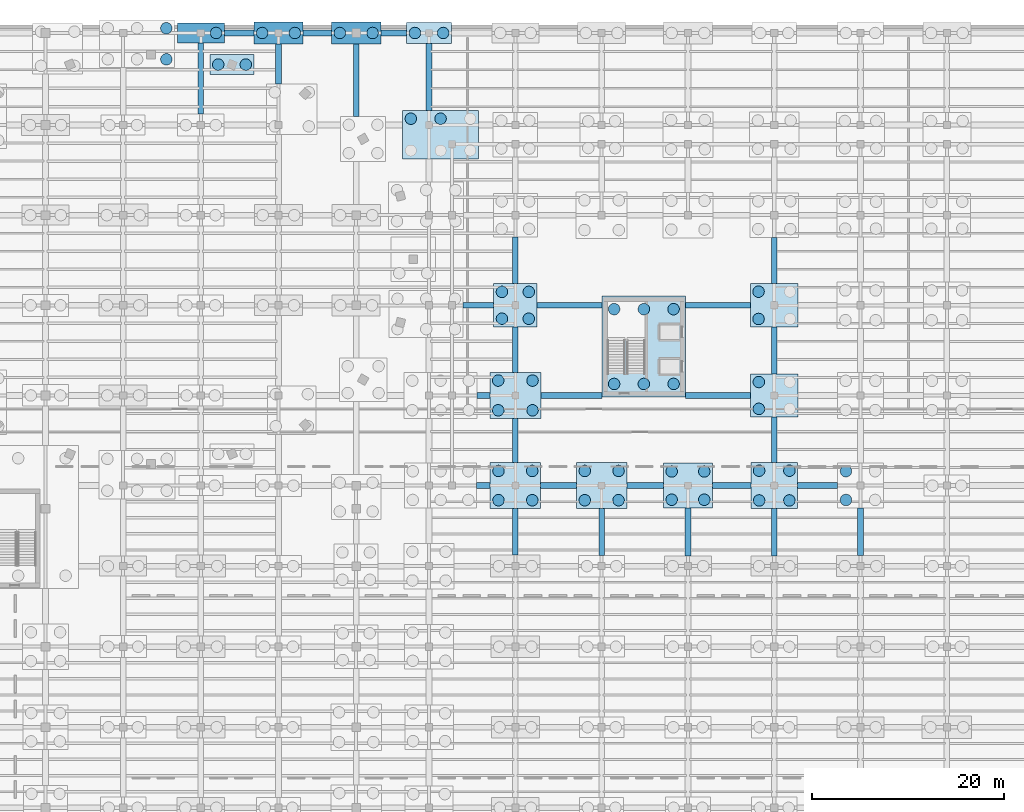
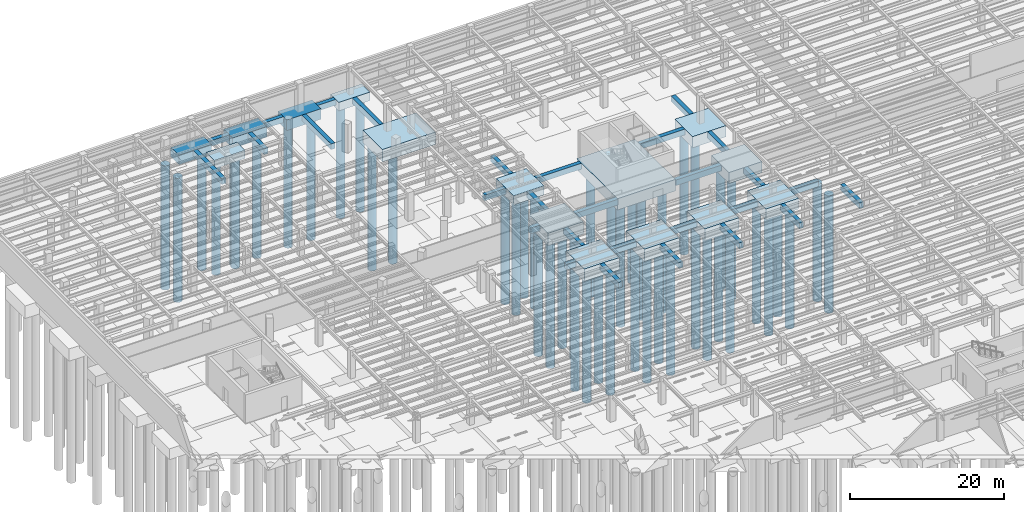
# One storey, part 11 of 49: 49 piles, 44 footings.
"""IFC4 building model written with IfcOpenShell, lengths in metres."""

from ifc_helpers import new_model, si_unit, direction, frame, origin, origin_2d, place, context, subcontext, project, spatial, rectangle, circle, extrude, material, material_profile, profile_set, type_object, element, save


model = new_model("IFC4")

# Units and contexts
model_context = context("Model", 3, precision=1e-05, world=origin(), true_north=direction((0.0, 1.0)))
body_context = subcontext(model_context, "Body", "Model", "MODEL_VIEW")
ifc_project = project(units=[si_unit("LENGTHUNIT", "METRE"), si_unit("AREAUNIT", "SQUARE_METRE"), si_unit("VOLUMEUNIT", "CUBIC_METRE"), si_unit("PLANEANGLEUNIT", "RADIAN"), si_unit("MASSUNIT", "GRAM", prefix="KILO")], contexts=[model_context])

# Site, building, storey
site_placement = place(None, origin())
site = spatial("IfcSite", under=ifc_project, at=site_placement, CompositionType="ELEMENT")
building_placement = place(site_placement, origin())
building = spatial("IfcBuilding", under=site, at=building_placement, Name="Sollismere Congress Hotel", CompositionType="ELEMENT")
storey_placement = place(building_placement, frame((0.0, 0.0, -4.5)))
storey = spatial("IfcBuildingStorey", under=building, at=storey_placement, Name="B1", CompositionType="ELEMENT", Elevation=-4.5)

# Footings
ifc_material = material(Name="Concrete C40/50", Category="concrete")
footing_type_1 = type_object("IfcFootingType", Name="FT-GB600", PredefinedType="FOOTING_BEAM", material=ifc_material)
footing_1_placement = place(storey_placement, frame((63.669921875, 66.800048828125, -0.89990234375), z_axis=(0.0, 0.0, 1.0), x_axis=(1.0, 0.0, 0.0)))
element("IfcFooting", 1, at=footing_1_placement, inside=storey, type_object=footing_type_1, Name="FTG-GB-120", PredefinedType="FOOTING_BEAM", context=body_context, shape_type="SweptSolid", body=[
    extrude(rectangle(XDim=1.419921875, YDim=0.60009765625, at=origin_2d()), origin(), (0.0, 0.0, 1.0), 0.89990234375),
])
footing_2_placement = place(storey_placement, frame((71.5, 66.800048828125, -0.89990234375), z_axis=(0.0, 0.0, 1.0), x_axis=(1.0, 0.0, 0.0)))
element("IfcFooting", 2, at=footing_2_placement, inside=storey, type_object=footing_type_1, Name="FTG-GB-121", PredefinedType="FOOTING_BEAM", context=body_context, shape_type="SweptSolid", body=[
    extrude(rectangle(XDim=3.760009765625, YDim=0.60009765625, at=origin_2d()), origin(), (0.0, 0.0, 1.0), 0.89990234375),
])
footing_3_placement = place(storey_placement, frame((80.530029296875, 66.800048828125, -0.89990234375), z_axis=(0.0, 0.0, 1.0), x_axis=(1.0, 0.0, 0.0)))
element("IfcFooting", 3, at=footing_3_placement, inside=storey, type_object=footing_type_1, Name="FTG-GB-122", PredefinedType="FOOTING_BEAM", context=body_context, shape_type="SweptSolid", body=[
    extrude(rectangle(XDim=3.820068359375, YDim=0.60009765625, at=origin_2d()), origin(), (0.0, 0.0, 1.0), 0.89990234375),
])
footing_4_placement = place(storey_placement, frame((89.56005859375, 66.800048828125, -0.89990234375), z_axis=(0.0, 0.0, 1.0), x_axis=(1.0, 0.0, 0.0)))
element("IfcFooting", 4, at=footing_4_placement, inside=storey, type_object=footing_type_1, Name="FTG-GB-123", PredefinedType="FOOTING_BEAM", context=body_context, shape_type="SweptSolid", body=[
    extrude(rectangle(XDim=4.0, YDim=0.60009765625, at=origin_2d()), origin(), (0.0, 0.0, 1.0), 0.89990234375),
])
footing_5_placement = place(storey_placement, frame((98.530029296875, 66.800048828125, -0.89990234375), z_axis=(0.0, 0.0, 1.0), x_axis=(1.0, 0.0, 0.0)))
element("IfcFooting", 5, at=footing_5_placement, inside=storey, type_object=footing_type_1, Name="FTG-GB-124", PredefinedType="FOOTING_BEAM", context=body_context, shape_type="SweptSolid", body=[
    extrude(rectangle(XDim=4.179931640625, YDim=0.60009765625, at=origin_2d()), origin(), (0.0, 0.0, 1.0), 0.89990234375),
])
footing_6_placement = place(storey_placement, frame((63.679931640625, 76.199951171875, -0.89990234375), z_axis=(0.0, 0.0, 1.0), x_axis=(1.0, 0.0, 0.0)))
element("IfcFooting", 6, at=footing_6_placement, inside=storey, type_object=footing_type_1, Name="FTG-GB-138", PredefinedType="FOOTING_BEAM", context=body_context, shape_type="SweptSolid", body=[
    extrude(rectangle(XDim=1.340087890625, YDim=0.60009765625, at=origin_2d()), origin(), (0.0, 0.0, 1.0), 0.89990234375),
])
footing_7_placement = place(storey_placement, frame((72.85009765625, 76.199951171875, -0.89990234375), z_axis=(0.0, 0.0, 1.0), x_axis=(1.0, 0.0, 0.0)))
element("IfcFooting", 7, at=footing_7_placement, inside=storey, type_object=footing_type_1, Name="FTG-GB-139", PredefinedType="FOOTING_BEAM", context=body_context, shape_type="SweptSolid", body=[
    extrude(rectangle(XDim=6.39990234375, YDim=0.60009765625, at=origin_2d()), origin(), (0.0, 0.0, 1.0), 0.89990234375),
])
footing_8_placement = place(storey_placement, frame((88.139892578125, 76.199951171875, -0.89990234375), z_axis=(0.0, 0.0, 1.0), x_axis=(1.0, 0.0, 0.0)))
element("IfcFooting", 8, at=footing_8_placement, inside=storey, type_object=footing_type_1, Name="FTG-GB-140", PredefinedType="FOOTING_BEAM", context=body_context, shape_type="SweptSolid", body=[
    extrude(rectangle(XDim=6.780029296875, YDim=0.60009765625, at=origin_2d()), origin(), (0.0, 0.0, 1.0), 0.89990234375),
])
footing_9_placement = place(storey_placement, frame((63.15283203125, 85.60009765625, -0.89990234375), z_axis=(0.0, 0.0, 1.0), x_axis=(1.0, 0.0, 0.0)))
element("IfcFooting", 9, at=footing_9_placement, inside=storey, type_object=footing_type_1, Name="FTG-GB-154", PredefinedType="FOOTING_BEAM", context=body_context, shape_type="SweptSolid", body=[
    extrude(rectangle(XDim=3.17431640625, YDim=0.60009765625, at=origin_2d()), origin(), (0.0, 0.0, 1.0), 0.89990234375),
])
footing_10_placement = place(storey_placement, frame((72.655029296875, 85.60009765625, -0.89990234375), z_axis=(0.0, 0.0, 1.0), x_axis=(1.0, 0.0, 0.0)))
element("IfcFooting", 10, at=footing_10_placement, inside=storey, type_object=footing_type_1, Name="FTG-GB-155", PredefinedType="FOOTING_BEAM", context=body_context, shape_type="SweptSolid", body=[
    extrude(rectangle(XDim=6.7900390625, YDim=0.60009765625, at=origin_2d()), origin(), (0.0, 0.0, 1.0), 0.89990234375),
])
footing_11_placement = place(storey_placement, frame((88.125, 85.60009765625, -0.89990234375), z_axis=(0.0, 0.0, 1.0), x_axis=(1.0, 0.0, 0.0)))
element("IfcFooting", 11, at=footing_11_placement, inside=storey, type_object=footing_type_1, Name="FTG-GB-156", PredefinedType="FOOTING_BEAM", context=body_context, shape_type="SweptSolid", body=[
    extrude(rectangle(XDim=6.75, YDim=0.60009765625, at=origin_2d()), origin(), (0.0, 0.0, 1.0), 0.89990234375),
])
footing_12_placement = place(storey_placement, frame((38.18994140625, 114.0, -0.89990234375), z_axis=(0.0, 0.0, 1.0), x_axis=(1.0, 0.0, 0.0)))
element("IfcFooting", 12, at=footing_12_placement, inside=storey, type_object=footing_type_1, Name="FTG-GB-202", PredefinedType="FOOTING_BEAM", context=body_context, shape_type="SweptSolid", body=[
    extrude(rectangle(XDim=3.080078125, YDim=0.60009765625, at=origin_2d()), origin(), (0.0, 0.0, 1.0), 0.89990234375),
])
footing_13_placement = place(storey_placement, frame((46.35009765625, 114.0, -0.89990234375), z_axis=(0.0, 0.0, 1.0), x_axis=(1.0, 0.0, 0.0)))
element("IfcFooting", 13, at=footing_13_placement, inside=storey, type_object=footing_type_1, Name="FTG-GB-203", PredefinedType="FOOTING_BEAM", context=body_context, shape_type="SweptSolid", body=[
    extrude(rectangle(XDim=2.9599609375, YDim=0.60009765625, at=origin_2d()), origin(), (0.0, 0.0, 1.0), 0.89990234375),
])
footing_14_placement = place(storey_placement, frame((54.320068359375, 114.0, -0.89990234375), z_axis=(0.0, 0.0, 1.0), x_axis=(1.0, 0.0, 0.0)))
element("IfcFooting", 14, at=footing_14_placement, inside=storey, type_object=footing_type_1, Name="FTG-GB-204", PredefinedType="FOOTING_BEAM", context=body_context, shape_type="SweptSolid", body=[
    extrude(rectangle(XDim=2.699951171875, YDim=0.60009765625, at=origin_2d()), origin(), (0.0, 0.0, 1.0), 0.89990234375),
])
footing_15_placement = place(storey_placement, frame((34.199951171875, 109.25, -0.89990234375), z_axis=(0.0, 0.0, 1.0), x_axis=(0.0, 1.0, 0.0)))
element("IfcFooting", 15, at=footing_15_placement, inside=storey, type_object=footing_type_1, Name="FTG-GB-276", PredefinedType="FOOTING_BEAM", context=body_context, shape_type="SweptSolid", body=[
    extrude(rectangle(XDim=7.39990234375, YDim=0.60009765625, at=origin_2d()), origin(), (0.0, 0.0, 1.0), 0.89990234375),
])
footing_16_placement = place(storey_placement, frame((42.300048828125, 110.760986328125, -0.89990234375), z_axis=(0.0, 0.0, 1.0), x_axis=(0.0, 1.0, 0.0)))
element("IfcFooting", 16, at=footing_16_placement, inside=storey, type_object=footing_type_1, Name="FTG-GB-289", PredefinedType="FOOTING_BEAM", context=body_context, shape_type="SweptSolid", body=[
    extrude(rectangle(XDim=4.177734375, YDim=0.60009765625, at=origin_2d()), origin(), (0.0, 0.0, 1.0), 0.89990234375),
])
footing_17_placement = place(storey_placement, frame((50.39990234375, 109.067138671875, -0.89990234375), z_axis=(0.0, 0.0, 1.0), x_axis=(0.0, 1.0, 0.0)))
element("IfcFooting", 17, at=footing_17_placement, inside=storey, type_object=footing_type_1, Name="FTG-GB-301", PredefinedType="FOOTING_BEAM", context=body_context, shape_type="SweptSolid", body=[
    extrude(rectangle(XDim=7.56591796875, YDim=0.60009765625, at=origin_2d()), origin(), (0.0, 0.0, 1.0), 0.89990234375),
])
footing_18_placement = place(storey_placement, frame((58.0, 109.422607421875, -0.89990234375), z_axis=(0.0, 0.0, 1.0), x_axis=(0.0, 1.0, 0.0)))
element("IfcFooting", 18, at=footing_18_placement, inside=storey, type_object=footing_type_1, Name="FTG-GB-312", PredefinedType="FOOTING_BEAM", context=body_context, shape_type="SweptSolid", body=[
    extrude(rectangle(XDim=7.0048828125, YDim=0.60009765625, at=origin_2d()), origin(), (0.0, 0.0, 1.0), 0.89990234375),
])
footing_19_placement = place(storey_placement, frame((67.0, 61.982421875, -0.89990234375), z_axis=(0.0, 0.0, 1.0), x_axis=(0.0, 1.0, 0.0)))
element("IfcFooting", 19, at=footing_19_placement, inside=storey, type_object=footing_type_1, Name="FTG-GB-320", PredefinedType="FOOTING_BEAM", context=body_context, shape_type="SweptSolid", body=[
    extrude(rectangle(XDim=4.864990234375, YDim=0.60009765625, at=origin_2d()), origin(), (0.0, 0.0, 1.0), 0.89990234375),
])
footing_20_placement = place(storey_placement, frame((67.0, 71.487548828125, -0.89990234375), z_axis=(0.0, 0.0, 1.0), x_axis=(0.0, 1.0, 0.0)))
element("IfcFooting", 20, at=footing_20_placement, inside=storey, type_object=footing_type_1, Name="FTG-GB-321", PredefinedType="FOOTING_BEAM", context=body_context, shape_type="SweptSolid", body=[
    extrude(rectangle(XDim=4.60498046875, YDim=0.60009765625, at=origin_2d()), origin(), (0.0, 0.0, 1.0), 0.89990234375),
])
footing_21_placement = place(storey_placement, frame((67.0, 80.97509765625, -0.89990234375), z_axis=(0.0, 0.0, 1.0), x_axis=(0.0, 1.0, 0.0)))
element("IfcFooting", 21, at=footing_21_placement, inside=storey, type_object=footing_type_1, Name="FTG-GB-322", PredefinedType="FOOTING_BEAM", context=body_context, shape_type="SweptSolid", body=[
    extrude(rectangle(XDim=4.72998046875, YDim=0.60009765625, at=origin_2d()), origin(), (0.0, 0.0, 1.0), 0.89990234375),
])
footing_22_placement = place(storey_placement, frame((67.0, 90.28759765625, -0.89990234375), z_axis=(0.0, 0.0, 1.0), x_axis=(0.0, 1.0, 0.0)))
element("IfcFooting", 22, at=footing_22_placement, inside=storey, type_object=footing_type_1, Name="FTG-GB-323", PredefinedType="FOOTING_BEAM", context=body_context, shape_type="SweptSolid", body=[
    extrude(rectangle(XDim=4.85498046875, YDim=0.60009765625, at=origin_2d()), origin(), (0.0, 0.0, 1.0), 0.89990234375),
])
footing_23_placement = place(storey_placement, frame((76.0, 61.969970703125, -0.89990234375), z_axis=(0.0, 0.0, 1.0), x_axis=(0.0, 1.0, 0.0)))
element("IfcFooting", 23, at=footing_23_placement, inside=storey, type_object=footing_type_1, Name="FTG-GB-333", PredefinedType="FOOTING_BEAM", context=body_context, shape_type="SweptSolid", body=[
    extrude(rectangle(XDim=4.889892578125, YDim=0.60009765625, at=origin_2d()), origin(), (0.0, 0.0, 1.0), 0.89990234375),
])
footing_24_placement = place(storey_placement, frame((85.0, 61.95751953125, -0.89990234375), z_axis=(0.0, 0.0, 1.0), x_axis=(0.0, 1.0, 0.0)))
element("IfcFooting", 24, at=footing_24_placement, inside=storey, type_object=footing_type_1, Name="FTG-GB-343", PredefinedType="FOOTING_BEAM", context=body_context, shape_type="SweptSolid", body=[
    extrude(rectangle(XDim=5.014892578125, YDim=0.60009765625, at=origin_2d()), origin(), (0.0, 0.0, 1.0), 0.89990234375),
])
footing_25_placement = place(storey_placement, frame((94.0, 61.919921875, -0.89990234375), z_axis=(0.0, 0.0, 1.0), x_axis=(0.0, 1.0, 0.0)))
element("IfcFooting", 25, at=footing_25_placement, inside=storey, type_object=footing_type_1, Name="FTG-GB-352", PredefinedType="FOOTING_BEAM", context=body_context, shape_type="SweptSolid", body=[
    extrude(rectangle(XDim=4.93994140625, YDim=0.60009765625, at=origin_2d()), origin(), (0.0, 0.0, 1.0), 0.89990234375),
])
footing_26_placement = place(storey_placement, frame((94.0, 71.574951171875, -0.89990234375), z_axis=(0.0, 0.0, 1.0), x_axis=(0.0, 1.0, 0.0)))
element("IfcFooting", 26, at=footing_26_placement, inside=storey, type_object=footing_type_1, Name="FTG-GB-353", PredefinedType="FOOTING_BEAM", context=body_context, shape_type="SweptSolid", body=[
    extrude(rectangle(XDim=4.72998046875, YDim=0.60009765625, at=origin_2d()), origin(), (0.0, 0.0, 1.0), 0.89990234375),
])
footing_27_placement = place(storey_placement, frame((94.0, 80.887451171875, -0.89990234375), z_axis=(0.0, 0.0, 1.0), x_axis=(0.0, 1.0, 0.0)))
element("IfcFooting", 27, at=footing_27_placement, inside=storey, type_object=footing_type_1, Name="FTG-GB-354", PredefinedType="FOOTING_BEAM", context=body_context, shape_type="SweptSolid", body=[
    extrude(rectangle(XDim=4.85498046875, YDim=0.60009765625, at=origin_2d()), origin(), (0.0, 0.0, 1.0), 0.89990234375),
])
footing_28_placement = place(storey_placement, frame((94.0, 90.28759765625, -0.89990234375), z_axis=(0.0, 0.0, 1.0), x_axis=(0.0, 1.0, 0.0)))
element("IfcFooting", 28, at=footing_28_placement, inside=storey, type_object=footing_type_1, Name="FTG-GB-355", PredefinedType="FOOTING_BEAM", context=body_context, shape_type="SweptSolid", body=[
    extrude(rectangle(XDim=4.804931640625, YDim=0.60009765625, at=origin_2d()), origin(), (0.0, 0.0, 1.0), 0.89990234375),
])
footing_29_placement = place(storey_placement, frame((103.0, 61.969970703125, -0.89990234375), z_axis=(0.0, 0.0, 1.0), x_axis=(0.0, 1.0, 0.0)))
element("IfcFooting", 29, at=footing_29_placement, inside=storey, type_object=footing_type_1, Name="FTG-GB-364", PredefinedType="FOOTING_BEAM", context=body_context, shape_type="SweptSolid", body=[
    extrude(rectangle(XDim=4.93994140625, YDim=0.60009765625, at=origin_2d()), origin(), (0.0, 0.0, 1.0), 0.89990234375),
])
footing_type_2 = type_object("IfcFootingType", Name="FT-MAT-K4", PredefinedType="PILE_CAP", material=ifc_material)
footing_30_placement = place(storey_placement, frame((80.39990234375, 81.300048828125, -1.7998046875), z_axis=(0.0, 0.0, 1.0), x_axis=(1.0, 0.0, 0.0)))
element("IfcFooting", 30, at=footing_30_placement, inside=storey, type_object=footing_type_2, Name="Core pile cap mat PCM-K4", PredefinedType="PILE_CAP", context=body_context, shape_type="SweptSolid", body=[
    extrude(rectangle(XDim=8.699951171875, YDim=10.5, at=origin_2d()), origin(), (0.0, 0.0, 1.0), 1.800048828125),
])
footing_type_3 = type_object("IfcFootingType", Name="FT-PC2-01", PredefinedType="PILE_CAP", material=ifc_material)
footing_31_placement = place(storey_placement, frame((37.45166015625, 110.705078125, -1.2998046875), z_axis=(0.0, 0.0, 1.0), x_axis=(1.0, 0.0, 0.0)))
element("IfcFooting", 31, at=footing_31_placement, inside=storey, type_object=footing_type_3, Name="Reinforced concrete pile cap PC-243", PredefinedType="PILE_CAP", context=body_context, shape_type="SweptSolid", body=[
    extrude(rectangle(XDim=4.60009765625, YDim=2.10009765625, at=origin_2d()), origin(), (0.0, 0.0, 1.0), 1.300048828125),
])
footing_type_4 = type_object("IfcFootingType", Name="FT-PC2-02", PredefinedType="PILE_CAP", material=ifc_material)
footing_32_placement = place(storey_placement, frame((58.0, 114.0, -1.33984375), z_axis=(0.0, 0.0, 1.0), x_axis=(1.0, 0.0, 0.0)))
element("IfcFooting", 32, at=footing_32_placement, inside=storey, type_object=footing_type_4, Name="Reinforced concrete pile cap PC-102", PredefinedType="PILE_CAP", context=body_context, shape_type="SweptSolid", body=[
    extrude(rectangle(XDim=4.659912109375, YDim=2.14990234375, at=origin_2d()), origin(), (0.0, 0.0, 1.0), 1.340087890625),
])
footing_type_5 = type_object("IfcFootingType", Name="FT-PC2-06", PredefinedType="PILE_CAP", material=ifc_material)
footing_33_placement = place(storey_placement, frame((34.199951171875, 114.0, -1.5), z_axis=(0.0, 0.0, 1.0), x_axis=(1.0, 0.0, 0.0)))
element("IfcFooting", 33, at=footing_33_placement, inside=storey, type_object=footing_type_5, Name="Reinforced concrete pile cap PC-066", PredefinedType="PILE_CAP", context=body_context, shape_type="SweptSolid", body=[
    extrude(rectangle(XDim=4.89990234375, YDim=2.10009765625, at=origin_2d()), origin(), (0.0, 0.0, 1.0), 1.5),
])
footing_type_6 = type_object("IfcFootingType", Name="FT-PC2-10", PredefinedType="PILE_CAP", material=ifc_material)
for number, where, z_axis, x_axis, name in (
    (34, (42.300048828125, 114.0, -1.66015625), (0.0, 0.0, 1.0), (1.0, 0.0, 0.0), "Reinforced concrete pile cap PC-080"),
    (35, (50.39990234375, 114.0, -1.66015625), (0.0, 0.0, 1.0), (1.0, 0.0, 0.0), "Reinforced concrete pile cap PC-090"),
):
    element("IfcFooting", number, at=place(storey_placement, frame(where, z_axis=z_axis, x_axis=x_axis)), inside=storey, type_object=footing_type_6, Name=name, PredefinedType="PILE_CAP", context=body_context, shape_type="SweptSolid", body=[
        extrude(rectangle(XDim=5.139892578125, YDim=2.300048828125, at=origin_2d()), origin(), (0.0, 0.0, 1.0), 1.659912109375),
    ])
footing_type_7 = type_object("IfcFootingType", Name="FT-PC4-01", PredefinedType="PILE_CAP", material=ifc_material)
footing_34_placement = place(storey_placement, frame((67.0, 85.60009765625, -1.4501953125), z_axis=(0.0, 0.0, 1.0), x_axis=(1.0, 0.0, 0.0)))
element("IfcFooting", 36, at=footing_34_placement, inside=storey, type_object=footing_type_7, Name="Reinforced concrete pile cap PC-113", PredefinedType="PILE_CAP", context=body_context, shape_type="SweptSolid", body=[
    extrude(rectangle(XDim=4.52001953125, YDim=4.52001953125, at=origin_2d()), origin(), (0.0, 0.0, 1.0), 1.449951171875),
])
footing_type_8 = type_object("IfcFootingType", Name="FT-PC4-07", PredefinedType="PILE_CAP", material=ifc_material)
footing_35_placement = place(storey_placement, frame((94.0, 66.800048828125, -1.68994140625), z_axis=(0.0, 0.0, 1.0), x_axis=(1.0, 0.0, 0.0)))
element("IfcFooting", 37, at=footing_35_placement, inside=storey, type_object=footing_type_8, Name="Reinforced concrete pile cap PC-147", PredefinedType="PILE_CAP", context=body_context, shape_type="SweptSolid", body=[
    extrude(rectangle(XDim=4.8798828125, YDim=4.820068359375, at=origin_2d()), origin(), (0.0, 0.0, 1.0), 1.68994140625),
])
footing_type_9 = type_object("IfcFootingType", Name="FT-PC4-08", PredefinedType="PILE_CAP", material=ifc_material)
footing_36_placement = place(storey_placement, frame((94.0, 76.199951171875, -1.72998046875), z_axis=(0.0, 0.0, 1.0), x_axis=(1.0, 0.0, 0.0)))
element("IfcFooting", 38, at=footing_36_placement, inside=storey, type_object=footing_type_9, Name="Reinforced concrete pile cap PC-148", PredefinedType="PILE_CAP", context=body_context, shape_type="SweptSolid", body=[
    extrude(rectangle(XDim=4.93994140625, YDim=4.52001953125, at=origin_2d()), origin(), (0.0, 0.0, 1.0), 1.72998046875),
])
footing_type_10 = type_object("IfcFootingType", Name="FT-PC4-09", PredefinedType="PILE_CAP", material=ifc_material)
footing_37_placement = place(storey_placement, frame((94.0, 85.60009765625, -1.77001953125), z_axis=(0.0, 0.0, 1.0), x_axis=(1.0, 0.0, 0.0)))
element("IfcFooting", 39, at=footing_37_placement, inside=storey, type_object=footing_type_10, Name="Reinforced concrete pile cap PC-149", PredefinedType="PILE_CAP", context=body_context, shape_type="SweptSolid", body=[
    extrude(rectangle(XDim=5.0, YDim=4.570068359375, at=origin_2d()), origin(), (0.0, 0.0, 1.0), 1.77001953125),
])
footing_type_11 = type_object("IfcFootingType", Name="FT-PC4-11", PredefinedType="PILE_CAP", material=ifc_material)
footing_38_placement = place(storey_placement, frame((85.0, 66.800048828125, -1.85009765625), z_axis=(0.0, 0.0, 1.0), x_axis=(1.0, 0.0, 0.0)))
element("IfcFooting", 40, at=footing_38_placement, inside=storey, type_object=footing_type_11, Name="Reinforced concrete pile cap PC-137", PredefinedType="PILE_CAP", context=body_context, shape_type="SweptSolid", body=[
    extrude(rectangle(XDim=5.1201171875, YDim=4.669921875, at=origin_2d()), origin(), (0.0, 0.0, 1.0), 1.85009765625),
])
footing_type_12 = type_object("IfcFootingType", Name="FT-PC4-13", PredefinedType="PILE_CAP", material=ifc_material)
for number, where, z_axis, x_axis, name in (
    (41, (67.0, 66.800048828125, -1.93017578125), (0.0, 0.0, 1.0), (1.0, 0.0, 0.0), "Reinforced concrete pile cap PC-111"),
    (42, (76.0, 66.800048828125, -1.93017578125), (0.0, 0.0, 1.0), (1.0, 0.0, 0.0), "Reinforced concrete pile cap PC-125"),
):
    element("IfcFooting", number, at=place(storey_placement, frame(where, z_axis=z_axis, x_axis=x_axis)), inside=storey, type_object=footing_type_12, Name=name, PredefinedType="PILE_CAP", context=body_context, shape_type="SweptSolid", body=[
        extrude(rectangle(XDim=5.239990234375, YDim=4.77001953125, at=origin_2d()), origin(), (0.0, 0.0, 1.0), 1.929931640625),
    ])
footing_type_13 = type_object("IfcFootingType", Name="FT-PC4-14", PredefinedType="PILE_CAP", material=ifc_material)
footing_39_placement = place(storey_placement, frame((67.0, 76.199951171875, -1.97021484375), z_axis=(0.0, 0.0, 1.0), x_axis=(1.0, 0.0, 0.0)))
element("IfcFooting", 43, at=footing_39_placement, inside=storey, type_object=footing_type_13, Name="Reinforced concrete pile cap PC-112", PredefinedType="PILE_CAP", context=body_context, shape_type="SweptSolid", body=[
    extrude(rectangle(XDim=5.300048828125, YDim=4.820068359375, at=origin_2d()), origin(), (0.0, 0.0, 1.0), 1.969970703125),
])
footing_type_14 = type_object("IfcFootingType", Name="FT-PC6-05", PredefinedType="PILE_CAP", material=ifc_material)
footing_40_placement = place(storey_placement, frame((59.199951171875, 103.39990234375, -1.9501953125), z_axis=(0.0, 0.0, 1.0), x_axis=(1.0, 0.0, 0.0)))
element("IfcFooting", 44, at=footing_40_placement, inside=storey, type_object=footing_type_14, Name="Reinforced concrete pile cap PC-101", PredefinedType="PILE_CAP", context=body_context, shape_type="SweptSolid", body=[
    extrude(rectangle(XDim=7.919921875, YDim=5.0400390625, at=origin_2d()), origin(), (0.0, 0.0, 1.0), 1.949951171875),
])

# Piles
ifc_material_profile = material_profile(ifc_material, circle(Radius=0.60009765625, at=origin_2d()), Name="CAISSON1200")
ifc_profile_set = profile_set([ifc_material_profile], Name="Concrete C40/50")
pile_type = type_object("IfcPileType", Name="PL-CS1200", PredefinedType="BORED", material=ifc_profile_set)
for number, where, z_axis, x_axis, name in (
    (45, (30.60009765625, 111.2548828125, -1.800048828125), (0.0, 0.0, -1.0), (1.0, 0.0, 0.0), "Bored rock-socketed caisson PL-151"),
    (46, (30.60009765625, 114.4951171875, -1.800048828125), (0.0, 0.0, -1.0), (1.0, 0.0, 0.0), "Bored rock-socketed caisson PL-154"),
):
    element("IfcPile", number, at=place(storey_placement, frame(where, z_axis=z_axis, x_axis=x_axis)), inside=storey, type_object=pile_type, Name=name, PredefinedType="BORED", context=body_context, shape_type="SweptSolid", body=[
        extrude(circle(Radius=0.60009765625, at=origin_2d()), origin(), (0.0, 0.0, 1.0), 19.64990234375),
    ])
pile_placement = place(storey_placement, frame((35.7900390625, 114.0, -1.39990234375), z_axis=(0.0, 0.0, -1.0), x_axis=(1.0, 0.0, 0.0)))
element("IfcPile", 47, at=pile_placement, inside=storey, type_object=pile_type, Name="Bored rock-socketed caisson PL-186", PredefinedType="BORED", context=body_context, shape_type="SweptSolid", body=[
    extrude(circle(Radius=0.60009765625, at=origin_2d()), origin(), (0.0, 0.0, 1.0), 18.5),
])
for number, where, z_axis, x_axis, name in (
    (48, (40.590087890625, 114.0, -1.56005859375), (0.0, 0.0, -1.0), (1.0, 0.0, 0.0), "Bored rock-socketed caisson PL-223"),
    (49, (44.010009765625, 114.0, -1.56005859375), (0.0, 0.0, -1.0), (1.0, 0.0, 0.0), "Bored rock-socketed caisson PL-224"),
    (50, (48.68994140625, 114.0, -1.56005859375), (0.0, 0.0, -1.0), (1.0, 0.0, 0.0), "Bored rock-socketed caisson PL-257"),
    (51, (52.110107421875, 114.0, -1.56005859375), (0.0, 0.0, -1.0), (1.0, 0.0, 0.0), "Bored rock-socketed caisson PL-258"),
):
    element("IfcPile", number, at=place(storey_placement, frame(where, z_axis=z_axis, x_axis=x_axis)), inside=storey, type_object=pile_type, Name=name, PredefinedType="BORED", context=body_context, shape_type="SweptSolid", body=[
        extrude(circle(Radius=0.60009765625, at=origin_2d()), origin(), (0.0, 0.0, 1.0), 19.300048828125),
    ])
for number, where, z_axis, x_axis, name in (
    (52, (56.10009765625, 105.06005859375, -1.85009765625), (0.0, 0.0, -1.0), (1.0, 0.0, 0.0), "Bored rock-socketed caisson PL-310"),
    (53, (59.199951171875, 105.06005859375, -1.85009765625), (0.0, 0.0, -1.0), (1.0, 0.0, 0.0), "Bored rock-socketed caisson PL-311"),
):
    element("IfcPile", number, at=place(storey_placement, frame(where, z_axis=z_axis, x_axis=x_axis)), inside=storey, type_object=pile_type, Name=name, PredefinedType="BORED", context=body_context, shape_type="SweptSolid", body=[
        extrude(circle(Radius=0.60009765625, at=origin_2d()), origin(), (0.0, 0.0, 1.0), 19.800048828125),
    ])
for number, where, z_axis, x_axis, name in (
    (54, (56.530029296875, 114.0, -1.239990234375), (0.0, 0.0, -1.0), (1.0, 0.0, 0.0), "Bored rock-socketed caisson PL-313"),
    (55, (59.469970703125, 114.0, -1.239990234375), (0.0, 0.0, -1.0), (1.0, 0.0, 0.0), "Bored rock-socketed caisson PL-314"),
):
    element("IfcPile", number, at=place(storey_placement, frame(where, z_axis=z_axis, x_axis=x_axis)), inside=storey, type_object=pile_type, Name=name, PredefinedType="BORED", context=body_context, shape_type="SweptSolid", body=[
        extrude(circle(Radius=0.60009765625, at=origin_2d()), origin(), (0.0, 0.0, 1.0), 17.699951171875),
    ])
for number, where, z_axis, x_axis, name in (
    (56, (65.239990234375, 65.27490234375, -1.830078125), (0.0, 0.0, -1.0), (1.0, 0.0, 0.0), "Bored rock-socketed caisson PL-339"),
    (57, (68.760009765625, 65.27490234375, -1.830078125), (0.0, 0.0, -1.0), (1.0, 0.0, 0.0), "Bored rock-socketed caisson PL-340"),
    (58, (65.239990234375, 68.324951171875, -1.830078125), (0.0, 0.0, -1.0), (1.0, 0.0, 0.0), "Bored rock-socketed caisson PL-341"),
    (59, (68.760009765625, 68.324951171875, -1.830078125), (0.0, 0.0, -1.0), (1.0, 0.0, 0.0), "Bored rock-socketed caisson PL-342"),
):
    element("IfcPile", number, at=place(storey_placement, frame(where, z_axis=z_axis, x_axis=x_axis)), inside=storey, type_object=pile_type, Name=name, PredefinedType="BORED", context=body_context, shape_type="SweptSolid", body=[
        extrude(circle(Radius=0.60009765625, at=origin_2d()), origin(), (0.0, 0.0, 1.0), 19.800048828125),
    ])
for number, where, z_axis, x_axis, name in (
    (60, (65.2099609375, 74.64990234375, -1.8701171875), (0.0, 0.0, -1.0), (1.0, 0.0, 0.0), "Bored rock-socketed caisson PL-343"),
    (61, (68.7900390625, 74.64990234375, -1.8701171875), (0.0, 0.0, -1.0), (1.0, 0.0, 0.0), "Bored rock-socketed caisson PL-344"),
    (62, (65.2099609375, 77.75, -1.8701171875), (0.0, 0.0, -1.0), (1.0, 0.0, 0.0), "Bored rock-socketed caisson PL-345"),
    (63, (68.7900390625, 77.75, -1.8701171875), (0.0, 0.0, -1.0), (1.0, 0.0, 0.0), "Bored rock-socketed caisson PL-346"),
):
    element("IfcPile", number, at=place(storey_placement, frame(where, z_axis=z_axis, x_axis=x_axis)), inside=storey, type_object=pile_type, Name=name, PredefinedType="BORED", context=body_context, shape_type="SweptSolid", body=[
        extrude(circle(Radius=0.60009765625, at=origin_2d()), origin(), (0.0, 0.0, 1.0), 19.949951171875),
    ])
for number, where, z_axis, x_axis, name in (
    (64, (65.60009765625, 84.199951171875, -1.35009765625), (0.0, 0.0, -1.0), (1.0, 0.0, 0.0), "Bored rock-socketed caisson PL-347"),
    (65, (68.39990234375, 84.199951171875, -1.35009765625), (0.0, 0.0, -1.0), (1.0, 0.0, 0.0), "Bored rock-socketed caisson PL-348"),
    (66, (65.60009765625, 87.0, -1.35009765625), (0.0, 0.0, -1.0), (1.0, 0.0, 0.0), "Bored rock-socketed caisson PL-349"),
    (67, (68.39990234375, 87.0, -1.35009765625), (0.0, 0.0, -1.0), (1.0, 0.0, 0.0), "Bored rock-socketed caisson PL-350"),
):
    element("IfcPile", number, at=place(storey_placement, frame(where, z_axis=z_axis, x_axis=x_axis)), inside=storey, type_object=pile_type, Name=name, PredefinedType="BORED", context=body_context, shape_type="SweptSolid", body=[
        extrude(circle(Radius=0.60009765625, at=origin_2d()), origin(), (0.0, 0.0, 1.0), 18.0),
    ])
for number, where, z_axis, x_axis, name in (
    (68, (74.239990234375, 65.27490234375, -1.830078125), (0.0, 0.0, -1.0), (1.0, 0.0, 0.0), "Bored rock-socketed caisson PL-385"),
    (69, (77.760009765625, 65.27490234375, -1.830078125), (0.0, 0.0, -1.0), (1.0, 0.0, 0.0), "Bored rock-socketed caisson PL-386"),
    (70, (74.239990234375, 68.324951171875, -1.830078125), (0.0, 0.0, -1.0), (1.0, 0.0, 0.0), "Bored rock-socketed caisson PL-387"),
    (71, (77.760009765625, 68.324951171875, -1.830078125), (0.0, 0.0, -1.0), (1.0, 0.0, 0.0), "Bored rock-socketed caisson PL-388"),
):
    element("IfcPile", number, at=place(storey_placement, frame(where, z_axis=z_axis, x_axis=x_axis)), inside=storey, type_object=pile_type, Name=name, PredefinedType="BORED", context=body_context, shape_type="SweptSolid", body=[
        extrude(circle(Radius=0.60009765625, at=origin_2d()), origin(), (0.0, 0.0, 1.0), 19.800048828125),
    ])
for number, where, z_axis, x_axis, name in (
    (72, (83.300048828125, 65.324951171875, -1.75), (0.0, 0.0, -1.0), (1.0, 0.0, 0.0), "Bored rock-socketed caisson PL-427"),
    (73, (86.699951171875, 65.324951171875, -1.75), (0.0, 0.0, -1.0), (1.0, 0.0, 0.0), "Bored rock-socketed caisson PL-428"),
    (74, (83.300048828125, 68.27490234375, -1.75), (0.0, 0.0, -1.0), (1.0, 0.0, 0.0), "Bored rock-socketed caisson PL-429"),
    (75, (86.699951171875, 68.27490234375, -1.75), (0.0, 0.0, -1.0), (1.0, 0.0, 0.0), "Bored rock-socketed caisson PL-430"),
):
    element("IfcPile", number, at=place(storey_placement, frame(where, z_axis=z_axis, x_axis=x_axis)), inside=storey, type_object=pile_type, Name=name, PredefinedType="BORED", context=body_context, shape_type="SweptSolid", body=[
        extrude(circle(Radius=0.60009765625, at=origin_2d()), origin(), (0.0, 0.0, 1.0), 19.5),
    ])
for number, where, z_axis, x_axis, name in (
    (76, (92.419921875, 65.25, -1.590087890625), (0.0, 0.0, -1.0), (1.0, 0.0, 0.0), "Bored rock-socketed caisson PL-457"),
    (77, (95.580078125, 65.25, -1.590087890625), (0.0, 0.0, -1.0), (1.0, 0.0, 0.0), "Bored rock-socketed caisson PL-458"),
    (78, (92.419921875, 68.35009765625, -1.590087890625), (0.0, 0.0, -1.0), (1.0, 0.0, 0.0), "Bored rock-socketed caisson PL-459"),
    (79, (95.580078125, 68.35009765625, -1.590087890625), (0.0, 0.0, -1.0), (1.0, 0.0, 0.0), "Bored rock-socketed caisson PL-460"),
):
    element("IfcPile", number, at=place(storey_placement, frame(where, z_axis=z_axis, x_axis=x_axis)), inside=storey, type_object=pile_type, Name=name, PredefinedType="BORED", context=body_context, shape_type="SweptSolid", body=[
        extrude(circle(Radius=0.60009765625, at=origin_2d()), origin(), (0.0, 0.0, 1.0), 18.89990234375),
    ])
for number, where, z_axis, x_axis, name in (
    (80, (92.389892578125, 74.800048828125, -1.6298828125), (0.0, 0.0, -1.0), (1.0, 0.0, 0.0), "Bored rock-socketed caisson PL-461"),
    (81, (92.389892578125, 77.60009765625, -1.6298828125), (0.0, 0.0, -1.0), (1.0, 0.0, 0.0), "Bored rock-socketed caisson PL-463"),
):
    element("IfcPile", number, at=place(storey_placement, frame(where, z_axis=z_axis, x_axis=x_axis)), inside=storey, type_object=pile_type, Name=name, PredefinedType="BORED", context=body_context, shape_type="SweptSolid", body=[
        extrude(circle(Radius=0.60009765625, at=origin_2d()), origin(), (0.0, 0.0, 1.0), 19.050048828125),
    ])
for number, where, z_axis, x_axis, name in (
    (82, (92.360107421875, 84.175048828125, -1.669921875), (0.0, 0.0, -1.0), (1.0, 0.0, 0.0), "Bored rock-socketed caisson PL-465"),
    (83, (92.360107421875, 87.02490234375, -1.669921875), (0.0, 0.0, -1.0), (1.0, 0.0, 0.0), "Bored rock-socketed caisson PL-467"),
):
    element("IfcPile", number, at=place(storey_placement, frame(where, z_axis=z_axis, x_axis=x_axis)), inside=storey, type_object=pile_type, Name=name, PredefinedType="BORED", context=body_context, shape_type="SweptSolid", body=[
        extrude(circle(Radius=0.60009765625, at=origin_2d()), origin(), (0.0, 0.0, 1.0), 19.199951171875),
    ])
for number, where, z_axis, x_axis, name in (
    (84, (101.47998046875, 65.300048828125, -1.510009765625), (0.0, 0.0, -1.0), (1.0, 0.0, 0.0), "Bored rock-socketed caisson PL-495"),
    (85, (101.47998046875, 68.300048828125, -1.510009765625), (0.0, 0.0, -1.0), (1.0, 0.0, 0.0), "Bored rock-socketed caisson PL-497"),
):
    element("IfcPile", number, at=place(storey_placement, frame(where, z_axis=z_axis, x_axis=x_axis)), inside=storey, type_object=pile_type, Name=name, PredefinedType="BORED", context=body_context, shape_type="SweptSolid", body=[
        extrude(circle(Radius=0.60009765625, at=origin_2d()), origin(), (0.0, 0.0, 1.0), 18.60009765625),
    ])
for number, where, z_axis, x_axis, name in (
    (86, (36.01171875, 110.705078125, -1.199951171875), (0.0, 0.0, -1.0), (1.0, 0.0, 0.0), "Bored rock-socketed caisson PL-801"),
    (87, (38.8916015625, 110.705078125, -1.199951171875), (0.0, 0.0, -1.0), (1.0, 0.0, 0.0), "Bored rock-socketed caisson PL-802"),
):
    element("IfcPile", number, at=place(storey_placement, frame(where, z_axis=z_axis, x_axis=x_axis)), inside=storey, type_object=pile_type, Name=name, PredefinedType="BORED", context=body_context, shape_type="SweptSolid", body=[
        extrude(circle(Radius=0.60009765625, at=origin_2d()), origin(), (0.0, 0.0, 1.0), 17.5),
    ])
for number, where, z_axis, x_axis, name in (
    (88, (77.300048828125, 77.39990234375, -1.699951171875), (0.0, 0.0, -1.0), (1.0, 0.0, 0.0), "Bored rock-socketed caisson PL-831"),
    (89, (77.300048828125, 85.199951171875, -1.699951171875), (0.0, 0.0, -1.0), (1.0, 0.0, 0.0), "Bored rock-socketed caisson PL-832"),
    (90, (80.39990234375, 77.39990234375, -1.699951171875), (0.0, 0.0, -1.0), (1.0, 0.0, 0.0), "Bored rock-socketed caisson PL-833"),
    (91, (80.39990234375, 85.199951171875, -1.699951171875), (0.0, 0.0, -1.0), (1.0, 0.0, 0.0), "Bored rock-socketed caisson PL-834"),
    (92, (83.5, 77.39990234375, -1.699951171875), (0.0, 0.0, -1.0), (1.0, 0.0, 0.0), "Bored rock-socketed caisson PL-835"),
    (93, (83.5, 85.199951171875, -1.699951171875), (0.0, 0.0, -1.0), (1.0, 0.0, 0.0), "Bored rock-socketed caisson PL-836"),
):
    element("IfcPile", number, at=place(storey_placement, frame(where, z_axis=z_axis, x_axis=x_axis)), inside=storey, type_object=pile_type, Name=name, PredefinedType="BORED", context=body_context, shape_type="SweptSolid", body=[
        extrude(circle(Radius=0.60009765625, at=origin_2d()), origin(), (0.0, 0.0, 1.0), 19.5),
    ])

save(model, "model.ifc")
